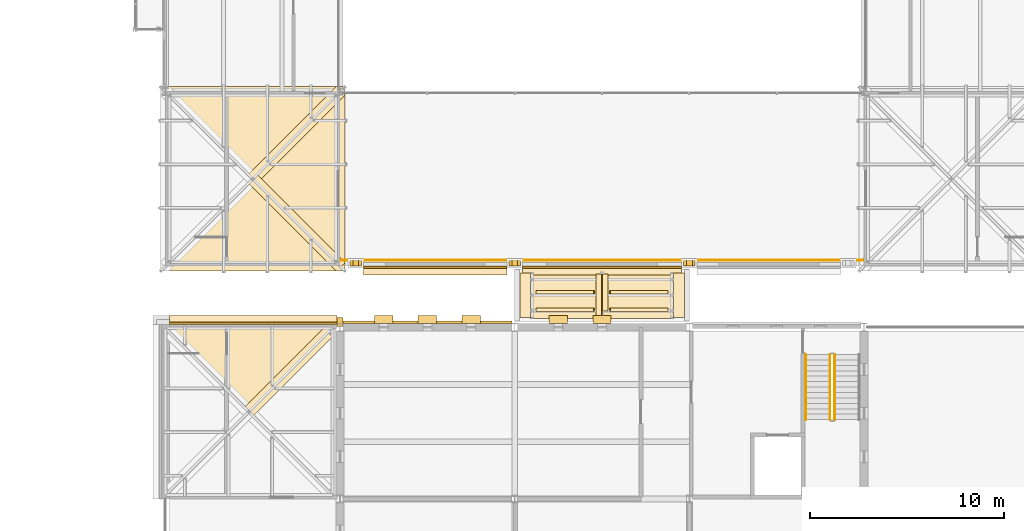
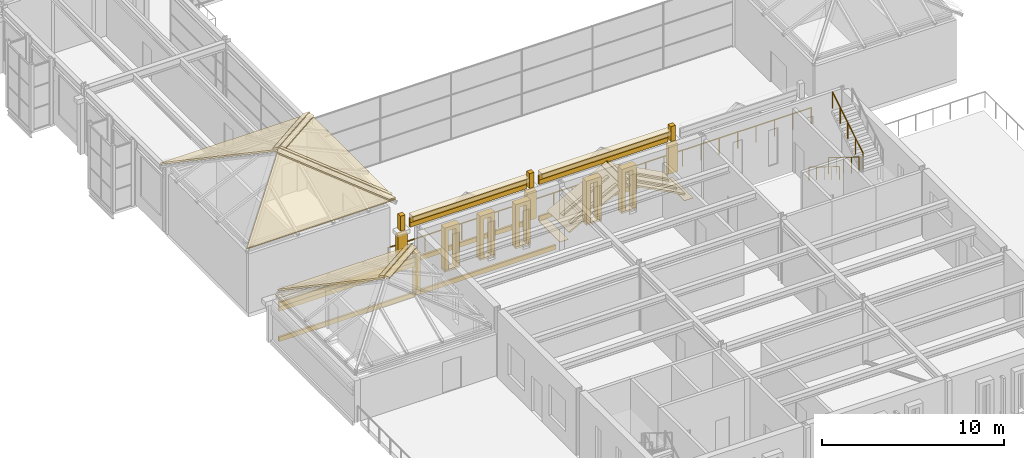
# One storey, part 133 of 149: 50 coverings, 4 railings.
"""IFC4 building model written with IfcOpenShell, lengths in metres."""

from ifc_helpers import new_model, si_unit, direction, frame, origin, origin_2d, place, context, subcontext, project, spatial, polyline, rectangle, circle, outline, extrude, material, layer, layer_set, type_object, element, save


model = new_model("IFC4")

# Units and contexts
model_context = context("Model", 3, precision=1e-05, world=origin(), true_north=direction((0.0, 1.0)))
body_context = subcontext(model_context, "Body", "Model", "MODEL_VIEW")
ifc_project = project(units=[si_unit("LENGTHUNIT", "METRE"), si_unit("AREAUNIT", "SQUARE_METRE"), si_unit("VOLUMEUNIT", "CUBIC_METRE"), si_unit("PLANEANGLEUNIT", "RADIAN"), si_unit("MASSUNIT", "GRAM", prefix="KILO")], contexts=[model_context])

# Site, building, storey
site_placement = place(None, origin())
site = spatial("IfcSite", under=ifc_project, at=site_placement, CompositionType="ELEMENT")
building_placement = place(site_placement, origin())
building = spatial("IfcBuilding", under=site, at=building_placement, Name="Kallimachos Central Library", CompositionType="ELEMENT")
storey_placement = place(building_placement, frame((0.0, 0.0, 9.89990234375)))
storey = spatial("IfcBuildingStorey", under=building, at=storey_placement, Name="L02", CompositionType="ELEMENT", Elevation=9.89990234375)

# Coverings
ifc_material_1 = material(Name="Glazed ceramic hip tile")
ifc_layer_1 = layer(ifc_material_1, 0.1201171875)
ifc_layer_set_1 = layer_set([ifc_layer_1], Name="Ceramic hip tile 300")
covering_type_1 = type_object("IfcCoveringType", Name="Ceramic hip tile 300", PredefinedType="MOLDING", material=ifc_layer_set_1)
covering_1_placement = place(storey_placement, frame((69.785888671875, 40.51416015625, 5.61328125), z_axis=(-2.580462e-05, 0.406756499333, 0.913536616444), x_axis=(-0.674456321795, 0.674470479349, -0.300330222384)))
element("IfcCovering", 1, at=covering_1_placement, inside=storey, type_object=covering_type_1, Name="West stair hipped roof hip tile", PredefinedType="MOLDING", context=body_context, shape_type="SweptSolid", body=[
    extrude(outline(polyline([(0.0, 0.0), (0.3145618130510048, 4.5102810375396984e-17), (0.8593346292230039, -6.015261027721787), (0.5731517465863613, -6.3285400889097465), (0.0, 0.0)])), origin(), (0.0, 0.0, -1.0), 0.1201171875),
])
covering_2_placement = place(storey_placement, frame((73.902099609375, 44.57373046875, 3.793212890625), z_axis=(0.40674004201, -4.081446e-06, 0.913543944323), x_axis=(0.674457907333, -0.674485009634, -0.300294027606)))
element("IfcCovering", 2, at=covering_2_placement, inside=storey, type_object=covering_type_1, Name="West stair hipped roof hip tile", PredefinedType="MOLDING", context=body_context, shape_type="SweptSolid", body=[
    extrude(outline(polyline([(0.0, 0.0), (0.29355440664685306, 1.3877787807814457e-17), (0.3126560328962398, -0.02090856223447786), (-0.2318830545296433, -6.036190753028906), (-0.5464448669142423, -6.0362029756904665), (0.0, 0.0)])), origin(), (0.0, 0.0, -1.0), 0.1201171875),
])
covering_3_placement = place(storey_placement, frame((74.7216796875, 47.75, 4.7548828125), z_axis=(-3.022104e-05, -0.40674172528, 0.913543194383), x_axis=(-0.999999999543, 1.2292158e-05, -2.7608226e-05)))
element("IfcCovering", 3, at=covering_3_placement, inside=storey, type_object=covering_type_1, Name="Head-house roof V4-SW hip tile", PredefinedType="MOLDING", context=body_context, shape_type="SweptSolid", body=[
    extrude(outline(polyline([(0.0, 0.0), (0.424072265431345, 0.0), (4.9479980497773735, -4.95172225337248), (4.938232423497229, -4.962431012857436), (4.735839846139398, -5.183967879357911), (0.0, 0.0)])), origin(), (0.0, 0.0, -1.0), 0.1201171875),
])
covering_4_placement = place(storey_placement, frame((70.01416015625, 52.51416015625, 6.86328125), z_axis=(0.406728259025, 1.7313868e-05, 0.913549190252), x_axis=(0.67448209148, 0.674456322939, -0.300304140364)))
element("IfcCovering", 4, at=covering_4_placement, inside=storey, type_object=covering_type_1, Name="Head-house roof V4-SW hip tile", PredefinedType="MOLDING", context=body_context, shape_type="SweptSolid", body=[
    extrude(outline(polyline([(0.0, 0.0), (0.3145618126101978, 1.3877787807814457e-17), (0.9193010369383585, -6.679801512631663), (0.9003648852933455, -6.700530564414012), (0.6068104788564364, -6.70054197010709), (0.0, 0.0)])), origin(), (0.0, 0.0, -1.0), 0.1201171875),
])
covering_5_placement = place(storey_placement, frame((69.98583984375, 52.51416015625, 6.86328125), z_axis=(-3.2466854e-05, 0.406739851005, 0.913544028797), x_axis=(-0.674456322555, 0.674474124036, -0.30032203544)))
element("IfcCovering", 5, at=covering_5_placement, inside=storey, type_object=covering_type_1, Name="Head-house roof V4-SW hip tile", PredefinedType="MOLDING", context=body_context, shape_type="SweptSolid", body=[
    extrude(outline(polyline([(0.0, 0.0), (0.3145618129402505, -3.8163916471489756e-17), (0.919301036001917, -6.679801512760555), (0.6332828152307807, -6.992900320918089), (0.0, 0.0)])), origin(), (0.0, 0.0, -1.0), 0.1201171875),
])
covering_6_placement = place(storey_placement, frame((70.226318359375, 52.273681640625, 6.768798828125), z_axis=(0.406728259025, -1.7313868e-05, 0.913549190252), x_axis=(-0.67448209148, 0.674456322939, 0.300304140364)))
element("IfcCovering", 6, at=covering_6_placement, inside=storey, type_object=covering_type_1, Name="Head-house roof V4-SW hip tile", PredefinedType="MOLDING", context=body_context, shape_type="SweptSolid", body=[
    extrude(outline(polyline([(0.0, 0.0), (0.3145618126101978, -1.3877787807814457e-17), (-0.2922486662462387, -6.700541970107091), (-0.5858030726831474, -6.700530564414011), (-0.6047392243281604, -6.679801512631663), (0.0, 0.0)])), origin(), (0.0, 0.0, -1.0), 0.1201171875),
])
covering_7_placement = place(storey_placement, frame((87.97998046875, 45.39990234375, 2.622802734375), z_axis=(-0.469767828475, 0.0, 0.882790001829), x_axis=(-0.882790001829, 0.0, -0.469767828475)))
element("IfcCovering", 7, at=covering_7_placement, inside=storey, type_object=covering_type_1, Name="Stacks Link roof ridge tile W", PredefinedType="MOLDING", context=body_context, shape_type="SweptSolid", body=[
    extrude(outline(polyline([(0.0, 0.0), (0.339886980486068, 0.0), (0.339886980486068, -2.2001953125), (0.0, -2.2001953125), (0.0, 0.0)])), origin(), (0.0, 0.0, -1.0), 0.1201171875),
])
covering_8_placement = place(storey_placement, frame((88.02001953125, 45.699951171875, 2.622802734375), z_axis=(0.469767828475, 0.0, 0.882790001829), x_axis=(0.882790001829, 0.0, -0.469767828475)))
element("IfcCovering", 8, at=covering_8_placement, inside=storey, type_object=covering_type_1, Name="Stacks Link roof ridge tile E", PredefinedType="MOLDING", context=body_context, shape_type="SweptSolid", body=[
    extrude(outline(polyline([(0.0, 0.0), (0.339886980486068, 0.0), (0.339886980486068, 1.900146484375), (0.0, 1.900146484375), (0.0, 0.0)])), origin(), (0.0, 0.0, -1.0), 0.1201171875),
])
ifc_material_2 = material(Name="Glazed ceramic roll tile")
ifc_layer_2 = layer(ifc_material_2, 0.10009765625)
ifc_layer_set_2 = layer_set([ifc_layer_2], Name="Ceramic roll tile rib 180")
covering_type_2 = type_object("IfcCoveringType", Name="Ceramic roll tile rib 180", PredefinedType="ROOFING", material=ifc_layer_set_2)
covering_9_placement = place(storey_placement, frame((84.60009765625, 45.659912109375, 0.802734375), z_axis=(-0.469503063653, 0.0, 0.88293084283), x_axis=(0.88293084283, 0.0, 0.469503063653)))
element("IfcCovering", 9, at=covering_9_placement, inside=storey, type_object=covering_type_2, Name="Stacks Link roll tile rib", PredefinedType="ROOFING", context=body_context, shape_type="SweptSolid", body=[
    extrude(outline(polyline([(0.0, 0.0), (3.3524267065042697, 0.0), (3.3524267065042697, 0.18017578125), (0.0, 0.18017578125), (0.0, 0.0)])), origin(), (0.0, 0.0, -1.0), 0.10009765625),
])
covering_10_placement = place(storey_placement, frame((84.60009765625, 46.56005859375, 0.802734375), z_axis=(-0.469503063653, 0.0, 0.88293084283), x_axis=(0.88293084283, 0.0, 0.469503063653)))
element("IfcCovering", 10, at=covering_10_placement, inside=storey, type_object=covering_type_2, Name="Stacks Link roll tile rib", PredefinedType="ROOFING", context=body_context, shape_type="SweptSolid", body=[
    extrude(outline(polyline([(0.0, 0.0), (3.3524267065042697, 0.0), (3.3524267065042697, 0.179931640625), (0.0, 0.179931640625), (0.0, 0.0)])), origin(), (0.0, 0.0, -1.0), 0.10009765625),
])
covering_11_placement = place(storey_placement, frame((91.39990234375, 45.659912109375, 0.802734375), z_axis=(0.469503063653, 0.0, 0.88293084283), x_axis=(-0.88293084283, 0.0, 0.469503063653)))
element("IfcCovering", 11, at=covering_11_placement, inside=storey, type_object=covering_type_2, Name="Stacks Link roll tile rib", PredefinedType="ROOFING", context=body_context, shape_type="SweptSolid", body=[
    extrude(outline(polyline([(0.0, 0.0), (3.3524267065042697, 0.0), (3.3524267065042697, -0.18017578125), (0.0, -0.18017578125), (0.0, 0.0)])), origin(), (0.0, 0.0, -1.0), 0.10009765625),
])
covering_12_placement = place(storey_placement, frame((91.39990234375, 46.56005859375, 0.802734375), z_axis=(0.469503063653, 0.0, 0.88293084283), x_axis=(-0.88293084283, 0.0, 0.469503063653)))
element("IfcCovering", 12, at=covering_12_placement, inside=storey, type_object=covering_type_2, Name="Stacks Link roll tile rib", PredefinedType="ROOFING", context=body_context, shape_type="SweptSolid", body=[
    extrude(outline(polyline([(0.0, 0.0), (3.3524267065042697, 0.0), (3.3524267065042697, -0.179931640625), (0.0, -0.179931640625), (0.0, 0.0)])), origin(), (0.0, 0.0, -1.0), 0.10009765625),
])
ifc_material_3 = material(Name="Glazed ceramic frieze, green")
ifc_layer_3 = layer(ifc_material_3, 0.10009765625)
ifc_layer_set_3 = layer_set([ifc_layer_3], Name="Glazed ceramic frieze, green")
covering_type_3 = type_object("IfcCoveringType", Name="Glazed ceramic frieze, green", PredefinedType="CLADDING", material=ifc_layer_set_3)
covering_13_placement = place(storey_placement, frame((79.405029296875, 47.949951171875, 2.580078125), z_axis=(0.0, 0.0, 1.0), x_axis=(1.0, 0.0, 0.0)))
element("IfcCovering", 13, at=covering_13_placement, inside=storey, type_object=covering_type_3, Name="Glazed ceramic frieze, green -L02-063", PredefinedType="CLADDING", context=body_context, shape_type="SweptSolid", body=[
    extrude(rectangle(XDim=7.389892578125, YDim=0.10009765625, at=origin_2d()), origin(), (0.0, 0.0, 1.0), 0.300048828125),
])
covering_14_placement = place(storey_placement, frame((88.0, 47.949951171875, 2.580078125), z_axis=(0.0, 0.0, 1.0), x_axis=(1.0, 0.0, 0.0)))
element("IfcCovering", 14, at=covering_14_placement, inside=storey, type_object=covering_type_3, Name="Glazed ceramic frieze, green -L02-064", PredefinedType="CLADDING", context=body_context, shape_type="SweptSolid", body=[
    extrude(rectangle(XDim=8.199951171875, YDim=0.10009765625, at=origin_2d()), origin(), (0.0, 0.0, 1.0), 0.300048828125),
])
covering_15_placement = place(storey_placement, frame((70.02490234375, 45.050048828125, 2.18017578125), z_axis=(0.0, 0.0, 1.0), x_axis=(1.0, 0.0, 0.0)))
element("IfcCovering", 15, at=covering_15_placement, inside=storey, type_object=covering_type_3, Name="Glazed ceramic frieze, green -L02-031", PredefinedType="CLADDING", context=body_context, shape_type="SweptSolid", body=[
    extrude(rectangle(XDim=8.64990234375, YDim=0.10009765625, at=origin_2d()), origin(), (0.0, 0.0, 1.0), 0.300048828125),
])
ifc_material_4 = material(Name="Glazed ceramic frieze, ochre")
ifc_layer_4 = layer(ifc_material_4, 0.10009765625)
ifc_layer_set_4 = layer_set([ifc_layer_4], Name="Glazed ceramic frieze, ochre")
covering_type_4 = type_object("IfcCoveringType", Name="Glazed ceramic frieze, ochre", PredefinedType="CLADDING", material=ifc_layer_set_4)
covering_16_placement = place(storey_placement, frame((79.405029296875, 47.949951171875, 2.2802734375), z_axis=(0.0, 0.0, 1.0), x_axis=(1.0, 0.0, 0.0)))
element("IfcCovering", 16, at=covering_16_placement, inside=storey, type_object=covering_type_4, Name="Glazed ceramic frieze, ochre -L02-063", PredefinedType="CLADDING", context=body_context, shape_type="SweptSolid", body=[
    extrude(rectangle(XDim=7.389892578125, YDim=0.10009765625, at=origin_2d()), origin(), (0.0, 0.0, 1.0), 0.300048828125),
])
covering_17_placement = place(storey_placement, frame((88.0, 47.949951171875, 2.2802734375), z_axis=(0.0, 0.0, 1.0), x_axis=(1.0, 0.0, 0.0)))
element("IfcCovering", 17, at=covering_17_placement, inside=storey, type_object=covering_type_4, Name="Glazed ceramic frieze, ochre -L02-064", PredefinedType="CLADDING", context=body_context, shape_type="SweptSolid", body=[
    extrude(rectangle(XDim=8.199951171875, YDim=0.10009765625, at=origin_2d()), origin(), (0.0, 0.0, 1.0), 0.300048828125),
])
covering_18_placement = place(storey_placement, frame((70.02490234375, 45.050048828125, 1.8798828125), z_axis=(0.0, 0.0, 1.0), x_axis=(1.0, 0.0, 0.0)))
element("IfcCovering", 18, at=covering_18_placement, inside=storey, type_object=covering_type_4, Name="Glazed ceramic frieze, ochre -L02-031", PredefinedType="CLADDING", context=body_context, shape_type="SweptSolid", body=[
    extrude(rectangle(XDim=8.64990234375, YDim=0.10009765625, at=origin_2d()), origin(), (0.0, 0.0, 1.0), 0.300048828125),
])
ifc_material_5 = material(Name="Glazed ceramic tile on deck")
ifc_layer_5 = layer(ifc_material_5, 0.10009765625)
ifc_layer_set_5 = layer_set([ifc_layer_5], Name="Glazed ceramic tile roofing 100")
covering_type_5 = type_object("IfcCoveringType", Name="Glazed ceramic tile roofing 100", PredefinedType="ROOFING", material=ifc_layer_set_5)
covering_19_placement = place(storey_placement, frame((74.10009765625, 44.800048828125, 3.57373046875), z_axis=(0.0, 0.406744744862, 0.913541850452), x_axis=(-1.0, 0.0, 0.0)))
element("IfcCovering", 19, at=covering_19_placement, inside=storey, type_object=covering_type_5, Name="West stair hipped roof roofing N", PredefinedType="ROOFING", context=body_context, shape_type="SweptSolid", body=[
    extrude(outline(polyline([(0.0, 0.0), (8.60009765625, 0.0), (4.300048828125, 4.707008032523863), (0.0, 0.0)])), origin(), (0.0, 0.0, -1.0), 0.10009765625),
])
for number, where, z_axis, x_axis, name in (
    (20, (65.25, 47.75, 4.623291015625), (0.0, -0.406761357527, 0.913534453659), (1.0, 0.0, 0.0), "Head-house roof V4-SW roofing S"),
    (21, (74.75, 57.25, 4.623291015625), (0.0, 0.406761357527, 0.913534453659), (-1.0, 0.0, 0.0), "Head-house roof V4-SW roofing N"),
    (22, (74.75, 47.75, 4.623291015625), (0.406761357527, 0.0, 0.913534453659), (0.0, 1.0, 0.0), "Head-house roof V4-SW roofing E"),
):
    element("IfcCovering", number, at=place(storey_placement, frame(where, z_axis=z_axis, x_axis=x_axis)), inside=storey, type_object=covering_type_5, Name=name, PredefinedType="ROOFING", context=body_context, shape_type="SweptSolid", body=[
        extrude(outline(polyline([(0.0, 0.0), (9.5, 0.0), (4.75, 5.199584953772908), (0.0, 0.0)])), origin(), (0.0, 0.0, -1.0), 0.10009765625),
    ])
covering_20_placement = place(storey_placement, frame((84.300048828125, 45.300048828125, 0.530029296875), z_axis=(-0.469468999409, 0.0, 0.882948955826), x_axis=(0.882948955826, 0.0, 0.469468999409)))
element("IfcCovering", 23, at=covering_20_placement, inside=storey, type_object=covering_type_5, Name="Stacks Link roofing W", PredefinedType="ROOFING", context=body_context, shape_type="SweptSolid", body=[
    extrude(outline(polyline([(0.0, 0.0), (4.19044741767043, 0.0), (4.19044741767043, 2.39990234375), (0.0, 2.39990234375), (0.0, 0.0)])), origin(), (0.0, 0.0, -1.0), 0.10009765625),
])
covering_21_placement = place(storey_placement, frame((91.699951171875, 45.300048828125, 0.530029296875), z_axis=(0.469468999409, 0.0, 0.882948955826), x_axis=(-0.882948955826, 0.0, 0.469468999409)))
element("IfcCovering", 24, at=covering_21_placement, inside=storey, type_object=covering_type_5, Name="Stacks Link roofing E", PredefinedType="ROOFING", context=body_context, shape_type="SweptSolid", body=[
    extrude(outline(polyline([(0.0, 0.0), (4.19044741767043, 0.0), (4.19044741767043, -2.39990234375), (0.0, -2.39990234375), (0.0, 0.0)])), origin(), (0.0, 0.0, -1.0), 0.10009765625),
])

# Railings
ifc_material_6 = material(Name="Wrought iron")
railing_type_1 = type_object("IfcRailingType", Name="Roof garden guard", PredefinedType="GUARDRAIL", material=ifc_material_6)
railing_1_placement = place(storey_placement, frame((74.550048828125, 48.300048828125, 0.0)))
element("IfcRailing", 25, at=railing_1_placement, inside=storey, type_object=railing_type_1, Name="South roof garden guard", PredefinedType="GUARDRAIL", context=body_context, shape_type="SweptSolid", body=[
    extrude(circle(Radius=0.02392578125, at=origin_2d()), frame((0.0, 0.0, 1.076171875), z_axis=(1.0, 0.0, 0.0), x_axis=(0.0, 1.0, 0.0)), (0.0, 0.0, 1.0), 26.89990234375),
    extrude(circle(Radius=0.02099609375, at=origin_2d()), origin(), (0.0, 0.0, 1.0), 1.052001953125),
    extrude(circle(Radius=0.02099609375, at=origin_2d()), frame((1.169677734375, 0.0, 0.0)), (0.0, 0.0, 1.0), 1.052001953125),
    extrude(circle(Radius=0.02099609375, at=origin_2d()), frame((2.339111328125, 0.0, 0.0)), (0.0, 0.0, 1.0), 1.052001953125),
    extrude(circle(Radius=0.02099609375, at=origin_2d()), frame((3.5087890625, 0.0, 0.0)), (0.0, 0.0, 1.0), 1.052001953125),
    extrude(circle(Radius=0.02099609375, at=origin_2d()), frame((4.67822265625, 0.0, 0.0)), (0.0, 0.0, 1.0), 1.052001953125),
    extrude(circle(Radius=0.02099609375, at=origin_2d()), frame((5.847900390625, 0.0, 0.0)), (0.0, 0.0, 1.0), 1.052001953125),
    extrude(circle(Radius=0.02099609375, at=origin_2d()), frame((7.017333984375, 0.0, 0.0)), (0.0, 0.0, 1.0), 1.052001953125),
    extrude(circle(Radius=0.02099609375, at=origin_2d()), frame((8.18701171875, 0.0, 0.0)), (0.0, 0.0, 1.0), 1.052001953125),
    extrude(circle(Radius=0.02099609375, at=origin_2d()), frame((9.3564453125, 0.0, 0.0)), (0.0, 0.0, 1.0), 1.052001953125),
    extrude(circle(Radius=0.02099609375, at=origin_2d()), frame((10.526123046875, 0.0, 0.0)), (0.0, 0.0, 1.0), 1.052001953125),
    extrude(circle(Radius=0.02099609375, at=origin_2d()), frame((11.695556640625, 0.0, 0.0)), (0.0, 0.0, 1.0), 1.052001953125),
    extrude(circle(Radius=0.02099609375, at=origin_2d()), frame((12.865234375, 0.0, 0.0)), (0.0, 0.0, 1.0), 1.052001953125),
    extrude(circle(Radius=0.02099609375, at=origin_2d()), frame((14.03466796875, 0.0, 0.0)), (0.0, 0.0, 1.0), 1.052001953125),
    extrude(circle(Radius=0.02099609375, at=origin_2d()), frame((15.204345703125, 0.0, 0.0)), (0.0, 0.0, 1.0), 1.052001953125),
    extrude(circle(Radius=0.02099609375, at=origin_2d()), frame((16.373779296875, 0.0, 0.0)), (0.0, 0.0, 1.0), 1.052001953125),
    extrude(circle(Radius=0.02099609375, at=origin_2d()), frame((17.54345703125, 0.0, 0.0)), (0.0, 0.0, 1.0), 1.052001953125),
    extrude(circle(Radius=0.02099609375, at=origin_2d()), frame((18.712890625, 0.0, 0.0)), (0.0, 0.0, 1.0), 1.052001953125),
    extrude(circle(Radius=0.02099609375, at=origin_2d()), frame((19.882568359375, 0.0, 0.0)), (0.0, 0.0, 1.0), 1.052001953125),
    extrude(circle(Radius=0.02099609375, at=origin_2d()), frame((21.052001953125, 0.0, 0.0)), (0.0, 0.0, 1.0), 1.052001953125),
    extrude(circle(Radius=0.02099609375, at=origin_2d()), frame((22.2216796875, 0.0, 0.0)), (0.0, 0.0, 1.0), 1.052001953125),
    extrude(circle(Radius=0.02099609375, at=origin_2d()), frame((23.39111328125, 0.0, 0.0)), (0.0, 0.0, 1.0), 1.052001953125),
    extrude(circle(Radius=0.02099609375, at=origin_2d()), frame((24.560791015625, 0.0, 0.0)), (0.0, 0.0, 1.0), 1.052001953125),
    extrude(circle(Radius=0.02099609375, at=origin_2d()), frame((25.730224609375, 0.0, 0.0)), (0.0, 0.0, 1.0), 1.052001953125),
    extrude(circle(Radius=0.02099609375, at=origin_2d()), frame((26.89990234375, 0.0, 0.0)), (0.0, 0.0, 1.0), 1.052001953125),
])
ifc_material_7 = material(Name="Steel S355J2", Category="steel")
railing_type_2 = type_object("IfcRailingType", Name="Stair handrail 900", PredefinedType="HANDRAIL", material=ifc_material_7)
railing_2_placement = place(storey_placement, frame((98.5, 43.449951171875, 0.173095703125)))
element("IfcRailing", 26, at=railing_2_placement, inside=storey, type_object=railing_type_2, Name="L02 ST14 stair handrail 1", PredefinedType="HANDRAIL", context=body_context, shape_type="SweptSolid", body=[
    extrude(circle(Radius=0.02392578125, at=origin_2d()), frame((0.0, 0.0, 0.8759765625), z_axis=(0.0, -0.850606129759, 0.525803396734), x_axis=(1.0, 0.0, 0.0)), (0.0, 0.0, 1.0), 3.949951171875),
    extrude(circle(Radius=0.02099609375, at=origin_2d()), origin(), (0.0, 0.0, 1.0), 0.851806640625),
    extrude(circle(Radius=0.02099609375, at=origin_2d()), frame((0.0, -0.83984375, 0.519287109375)), (0.0, 0.0, 1.0), 0.851806640625),
    extrude(circle(Radius=0.02099609375, at=origin_2d()), frame((0.0, -1.679931640625, 1.03857421875)), (0.0, 0.0, 1.0), 0.851806640625),
    extrude(circle(Radius=0.02099609375, at=origin_2d()), frame((0.0, -2.52001953125, 1.5576171875)), (0.0, 0.0, 1.0), 0.851806640625),
    extrude(circle(Radius=0.02099609375, at=origin_2d()), frame((0.0, -3.35986328125, 2.076904296875)), (0.0, 0.0, 1.0), 0.851806640625),
])

# Coverings
ifc_material_8 = material(Name="Pentelic marble attic moulding", Category="masonry")
ifc_layer_6 = layer(ifc_material_8, 0.1201171875)
ifc_layer_set_6 = layer_set([ifc_layer_6], Name="Stone attic moulding 300")
covering_type_6 = type_object("IfcCoveringType", Name="Stone attic moulding 300", PredefinedType="MOLDING", material=ifc_layer_set_6)
covering_22_placement = place(storey_placement, frame((79.405029296875, 47.93994140625, -0.14990234375), z_axis=(0.0, 0.0, 1.0), x_axis=(1.0, 0.0, 0.0)))
element("IfcCovering", 27, at=covering_22_placement, inside=storey, type_object=covering_type_6, Name="Stone attic moulding 300 -L02-063", PredefinedType="MOLDING", context=body_context, shape_type="SweptSolid", body=[
    extrude(rectangle(XDim=7.389892578125, YDim=0.1201171875, at=origin_2d()), origin(), (0.0, 0.0, 1.0), 0.300048828125),
])
covering_23_placement = place(storey_placement, frame((88.0, 47.93994140625, -0.14990234375), z_axis=(0.0, 0.0, 1.0), x_axis=(1.0, 0.0, 0.0)))
element("IfcCovering", 28, at=covering_23_placement, inside=storey, type_object=covering_type_6, Name="Stone attic moulding 300 -L02-064", PredefinedType="MOLDING", context=body_context, shape_type="SweptSolid", body=[
    extrude(rectangle(XDim=8.199951171875, YDim=0.1201171875, at=origin_2d()), origin(), (0.0, 0.0, 1.0), 0.300048828125),
])
covering_24_placement = place(storey_placement, frame((70.02490234375, 45.06005859375, -0.14990234375), z_axis=(0.0, 0.0, 1.0), x_axis=(1.0, 0.0, 0.0)))
element("IfcCovering", 29, at=covering_24_placement, inside=storey, type_object=covering_type_6, Name="Stone attic moulding 300 -L02-031", PredefinedType="MOLDING", context=body_context, shape_type="SweptSolid", body=[
    extrude(rectangle(XDim=8.64990234375, YDim=0.1201171875, at=origin_2d()), origin(), (0.0, 0.0, 1.0), 0.300048828125),
])
ifc_material_9 = material(Name="Pentelic marble cornice", Category="masonry")
ifc_layer_7 = layer(ifc_material_9, 0.449951171875)
ifc_layer_set_7 = layer_set([ifc_layer_7], Name="Stone cornice 450")
covering_type_7 = type_object("IfcCoveringType", Name="Stone cornice 450", PredefinedType="MOLDING", material=ifc_layer_set_7)
covering_25_placement = place(storey_placement, frame((79.405029296875, 47.77490234375, 2.89990234375), z_axis=(0.0, 0.0, 1.0), x_axis=(1.0, 0.0, 0.0)))
element("IfcCovering", 30, at=covering_25_placement, inside=storey, type_object=covering_type_7, Name="Stone cornice 450 -L02-063", PredefinedType="MOLDING", context=body_context, shape_type="SweptSolid", body=[
    extrude(rectangle(XDim=7.389892578125, YDim=0.449951171875, at=origin_2d()), origin(), (0.0, 0.0, 1.0), 0.300048828125),
])
covering_26_placement = place(storey_placement, frame((88.0, 47.77490234375, 2.89990234375), z_axis=(0.0, 0.0, 1.0), x_axis=(1.0, 0.0, 0.0)))
element("IfcCovering", 31, at=covering_26_placement, inside=storey, type_object=covering_type_7, Name="Stone cornice 450 -L02-064", PredefinedType="MOLDING", context=body_context, shape_type="SweptSolid", body=[
    extrude(rectangle(XDim=8.199951171875, YDim=0.449951171875, at=origin_2d()), origin(), (0.0, 0.0, 1.0), 0.300048828125),
])
covering_27_placement = place(storey_placement, frame((70.02490234375, 45.22509765625, 2.5), z_axis=(0.0, 0.0, 1.0), x_axis=(1.0, 0.0, 0.0)))
element("IfcCovering", 32, at=covering_27_placement, inside=storey, type_object=covering_type_7, Name="Stone cornice 450 -L02-031", PredefinedType="MOLDING", context=body_context, shape_type="SweptSolid", body=[
    extrude(rectangle(XDim=8.64990234375, YDim=0.449951171875, at=origin_2d()), origin(), (0.0, 0.0, 1.0), 0.300048828125),
])
ifc_material_10 = material(Name="Pentelic marble pilaster", Category="masonry")
ifc_layer_8 = layer(ifc_material_10, 0.25)
ifc_layer_set_8 = layer_set([ifc_layer_8], Name="Stone pilaster 250")
covering_type_8 = type_object("IfcCoveringType", Name="Stone pilaster 250", PredefinedType="CLADDING", material=ifc_layer_set_8)
covering_28_placement = place(storey_placement, frame((74.5, 45.125, 0.0), z_axis=(0.0, 0.0, 1.0), x_axis=(1.0, 0.0, 0.0)))
element("IfcCovering", 33, at=covering_28_placement, inside=storey, type_object=covering_type_8, Name="Stone pilaster 250 -L02-031", PredefinedType="CLADDING", context=body_context, shape_type="SweptSolid", body=[
    extrude(rectangle(XDim=0.300048828125, YDim=0.449951171875, at=origin_2d()), origin(), (0.0, 0.0, 1.0), 2.800048828125),
])
ifc_material_11 = material(Name="Pentelic marble finial", Category="masonry")
ifc_layer_9 = layer(ifc_material_11, 0.300048828125)
ifc_layer_set_9 = layer_set([ifc_layer_9], Name="Stone pinnacle finial 300")
covering_type_9 = type_object("IfcCoveringType", Name="Stone pinnacle finial 300", PredefinedType="MOLDING", material=ifc_layer_set_9)
for number, where, z_axis, x_axis, name in (
    (34, (75.31005859375, 48.14990234375, 2.150146484375), (0.0, 0.0, 1.0), (1.0, 0.0, 0.0), "South row roof edge pinnacle 1 finial"),
    (35, (83.5, 48.14990234375, 2.150146484375), (0.0, 0.0, 1.0), (1.0, 0.0, 0.0), "South row roof edge pinnacle 2 finial"),
    (36, (92.5, 48.14990234375, 2.150146484375), (0.0, 0.0, 1.0), (1.0, 0.0, 0.0), "South row roof edge pinnacle 3 finial"),
):
    element("IfcCovering", number, at=place(storey_placement, frame(where, z_axis=z_axis, x_axis=x_axis)), inside=storey, type_object=covering_type_9, Name=name, PredefinedType="MOLDING", context=body_context, shape_type="SweptSolid", body=[
        extrude(rectangle(XDim=0.300048828125, YDim=0.300048828125, at=origin_2d()), origin(), (0.0, 0.0, 1.0), 1.0),
    ])
ifc_material_12 = material(Name="Pentelic marble pinnacle", Category="masonry")
ifc_layer_10 = layer(ifc_material_12, 0.60009765625)
ifc_layer_set_10 = layer_set([ifc_layer_10], Name="Stone pinnacle shaft 600")
covering_type_10 = type_object("IfcCoveringType", Name="Stone pinnacle shaft 600", PredefinedType="MOLDING", material=ifc_layer_set_10)
for number, where, z_axis, x_axis, name in (
    (37, (75.31005859375, 48.14990234375, 0.000244140625), (0.0, 0.0, 1.0), (1.0, 0.0, 0.0), "South row roof edge pinnacle 1 shaft"),
    (38, (83.5, 48.14990234375, 0.000244140625), (0.0, 0.0, 1.0), (1.0, 0.0, 0.0), "South row roof edge pinnacle 2 shaft"),
    (39, (92.5, 48.14990234375, 0.000244140625), (0.0, 0.0, 1.0), (1.0, 0.0, 0.0), "South row roof edge pinnacle 3 shaft"),
):
    element("IfcCovering", number, at=place(storey_placement, frame(where, z_axis=z_axis, x_axis=x_axis)), inside=storey, type_object=covering_type_10, Name=name, PredefinedType="MOLDING", context=body_context, shape_type="SweptSolid", body=[
        extrude(rectangle(XDim=0.60009765625, YDim=0.300048828125, at=origin_2d()), origin(), (0.0, 0.0, 1.0), 1.89990234375),
    ])
ifc_material_13 = material(Name="Pentelic marble string course", Category="masonry")
ifc_layer_11 = layer(ifc_material_13, 0.1201171875)
ifc_layer_set_11 = layer_set([ifc_layer_11], Name="Stone string course 300")
covering_type_11 = type_object("IfcCoveringType", Name="Stone string course 300", PredefinedType="MOLDING", material=ifc_layer_set_11)
covering_29_placement = place(storey_placement, frame((79.0, 45.110107421875, -0.14990234375), z_axis=(0.0, 0.0, 1.0), x_axis=(1.0, 0.0, 0.0)))
element("IfcCovering", 40, at=covering_29_placement, inside=storey, type_object=covering_type_11, Name="Stone string course 300 -L02-021", PredefinedType="MOLDING", context=body_context, shape_type="SweptSolid", body=[
    extrude(rectangle(XDim=8.699951171875, YDim=0.1201171875, at=origin_2d()), origin(), (0.0, 0.0, 1.0), 0.300048828125),
])
ifc_material_14 = material(Name="Pentelic marble window sill", Category="masonry")
ifc_layer_12 = layer(ifc_material_14, 0.39990234375)
ifc_layer_set_12 = layer_set([ifc_layer_12], Name="Tower window sill block 400")
covering_type_12 = type_object("IfcCoveringType", Name="Tower window sill block 400", PredefinedType="MOLDING", material=ifc_layer_set_12)
for number, where, z_axis, x_axis, name in (
    (41, (76.75, 45.25, 0.780029296875), (0.0, 0.0, 1.0), (1.0, 0.0, 0.0), "Tower window sill block"),
    (42, (79.0, 45.25, 0.780029296875), (0.0, 0.0, 1.0), (1.0, 0.0, 0.0), "Tower window sill block"),
    (43, (81.25, 45.25, 0.780029296875), (0.0, 0.0, 1.0), (1.0, 0.0, 0.0), "Tower window sill block"),
    (44, (85.75, 45.25, 0.780029296875), (0.0, 0.0, 1.0), (1.0, 0.0, 0.0), "Tower window sill block"),
    (45, (88.0, 45.25, 0.780029296875), (0.0, 0.0, 1.0), (1.0, 0.0, 0.0), "Tower window sill block"),
):
    element("IfcCovering", number, at=place(storey_placement, frame(where, z_axis=z_axis, x_axis=x_axis)), inside=storey, type_object=covering_type_12, Name=name, PredefinedType="MOLDING", context=body_context, shape_type="SweptSolid", body=[
        extrude(rectangle(XDim=0.949951171875, YDim=0.39990234375, at=origin_2d()), origin(), (0.0, 0.0, 1.0), 0.1201171875),
    ])
ifc_material_15 = material(Name="Pentelic marble window surround", Category="masonry")
ifc_layer_13 = layer(ifc_material_15, 0.39990234375)
ifc_layer_set_13 = layer_set([ifc_layer_13], Name="Tower window surround 400")
covering_type_13 = type_object("IfcCoveringType", Name="Tower window surround 400", PredefinedType="MOLDING", material=ifc_layer_set_13)
for number, where, z_axis, x_axis, name in (
    (46, (76.27490234375, 45.449951171875, 0.900146484375), (0.0, 1.0, 0.0), (0.0, 0.0, 1.0), "Tower window surround -WIN-L02-009"),
    (47, (78.52490234375, 45.449951171875, 0.900146484375), (0.0, 1.0, 0.0), (0.0, 0.0, 1.0), "Tower window surround -WIN-L02-010"),
    (48, (80.77490234375, 45.449951171875, 0.900146484375), (0.0, 1.0, 0.0), (0.0, 0.0, 1.0), "Tower window surround -WIN-L02-011"),
    (49, (85.27490234375, 45.449951171875, 0.900146484375), (0.0, 1.0, 0.0), (0.0, 0.0, 1.0), "Tower window surround -WIN-L02-012"),
    (50, (87.52490234375, 45.449951171875, 0.900146484375), (0.0, 1.0, 0.0), (0.0, 0.0, 1.0), "Tower window surround -WIN-L02-013"),
):
    element("IfcCovering", number, at=place(storey_placement, frame(where, z_axis=z_axis, x_axis=x_axis)), inside=storey, type_object=covering_type_13, Name=name, PredefinedType="MOLDING", context=body_context, shape_type="SweptSolid", body=[
        extrude(outline(polyline([(0.0, 0.0), (2.849853515625, 0.0), (2.849853515625, 0.9501953125), (0.0, 0.9501953125), (0.0, 0.7001953125), (2.599853515625, 0.7001953125), (2.599853515625, 0.25), (0.0, 0.25), (0.0, 0.0)])), origin(), (0.0, 0.0, -1.0), 0.39990234375),
    ])
ifc_material_16 = material(Name="Lead-coated copper sheet")
ifc_layer_14 = layer(ifc_material_16, 0.02001953125)
ifc_layer_set_14 = layer_set([ifc_layer_14], Name="Valley gutter lining")
covering_type_14 = type_object("IfcCoveringType", Name="Valley gutter lining", PredefinedType="MEMBRANE", material=ifc_layer_set_14)
for number, where, z_axis, x_axis, name in (
    (51, (84.0400390625, 46.5, 0.0), (0.0, 0.0, 1.0), (1.0, 0.0, 0.0), "Stacks Link roof gutter W"),
    (52, (91.9599609375, 46.5, 0.0), (0.0, 0.0, 1.0), (1.0, 0.0, 0.0), "Stacks Link roof gutter E"),
):
    element("IfcCovering", number, at=place(storey_placement, frame(where, z_axis=z_axis, x_axis=x_axis)), inside=storey, type_object=covering_type_14, Name=name, PredefinedType="MEMBRANE", context=body_context, shape_type="SweptSolid", body=[
        extrude(rectangle(XDim=0.56005859375, YDim=2.300048828125, at=origin_2d()), origin(), (0.0, 0.0, 1.0), 0.02001953125),
    ])

# Railings
ifc_material_17 = material(Name="Steel S355J2", Category="steel")
railing_type_3 = type_object("IfcRailingType", Name="Wrought-iron guard 1100", PredefinedType="GUARDRAIL", material=ifc_material_17)
railing_3_placement = place(storey_placement, frame((99.75, 43.449951171875, 0.173095703125)))
element("IfcRailing", 53, at=railing_3_placement, inside=storey, type_object=railing_type_3, Name="L02 ST14 stair guard 1", PredefinedType="GUARDRAIL", context=body_context, shape_type="SweptSolid", body=[
    extrude(circle(Radius=0.02392578125, at=origin_2d()), frame((0.0, 0.0, 1.076171875), z_axis=(0.0, -0.850606129759, 0.525803396734), x_axis=(1.0, 0.0, 0.0)), (0.0, 0.0, 1.0), 3.949951171875),
    extrude(circle(Radius=0.02099609375, at=origin_2d()), origin(), (0.0, 0.0, 1.0), 1.052001953125),
    extrude(circle(Radius=0.02099609375, at=origin_2d()), frame((0.0, -0.83984375, 0.519287109375)), (0.0, 0.0, 1.0), 1.052001953125),
    extrude(circle(Radius=0.02099609375, at=origin_2d()), frame((0.0, -1.679931640625, 1.03857421875)), (0.0, 0.0, 1.0), 1.052001953125),
    extrude(circle(Radius=0.02099609375, at=origin_2d()), frame((0.0, -2.52001953125, 1.5576171875)), (0.0, 0.0, 1.0), 1.052001953125),
    extrude(circle(Radius=0.02099609375, at=origin_2d()), frame((0.0, -3.35986328125, 2.076904296875)), (0.0, 0.0, 1.0), 1.052001953125),
])
railing_4_placement = place(storey_placement, frame((100.0, 40.090087890625, 2.423095703125)))
element("IfcRailing", 54, at=railing_4_placement, inside=storey, type_object=railing_type_3, Name="L02 ST14 stair guard 3", PredefinedType="GUARDRAIL", context=body_context, shape_type="SweptSolid", body=[
    extrude(circle(Radius=0.02392578125, at=origin_2d()), frame((0.0, 0.0, 1.076171875), z_axis=(0.0, 0.850606129759, 0.525803396734), x_axis=(-1.0, 0.0, 0.0)), (0.0, 0.0, 1.0), 3.949951171875),
    extrude(circle(Radius=0.02099609375, at=origin_2d()), origin(), (0.0, 0.0, 1.0), 1.052001953125),
    extrude(circle(Radius=0.02099609375, at=origin_2d()), frame((0.0, 0.83984375, 0.519287109375)), (0.0, 0.0, 1.0), 1.052001953125),
    extrude(circle(Radius=0.02099609375, at=origin_2d()), frame((0.0, 1.679931640625, 1.03857421875)), (0.0, 0.0, 1.0), 1.052001953125),
    extrude(circle(Radius=0.02099609375, at=origin_2d()), frame((0.0, 2.52001953125, 1.5576171875)), (0.0, 0.0, 1.0), 1.052001953125),
    extrude(circle(Radius=0.02099609375, at=origin_2d()), frame((0.0, 3.35986328125, 2.076904296875)), (0.0, 0.0, 1.0), 1.052001953125),
])

save(model, "model.ifc")
